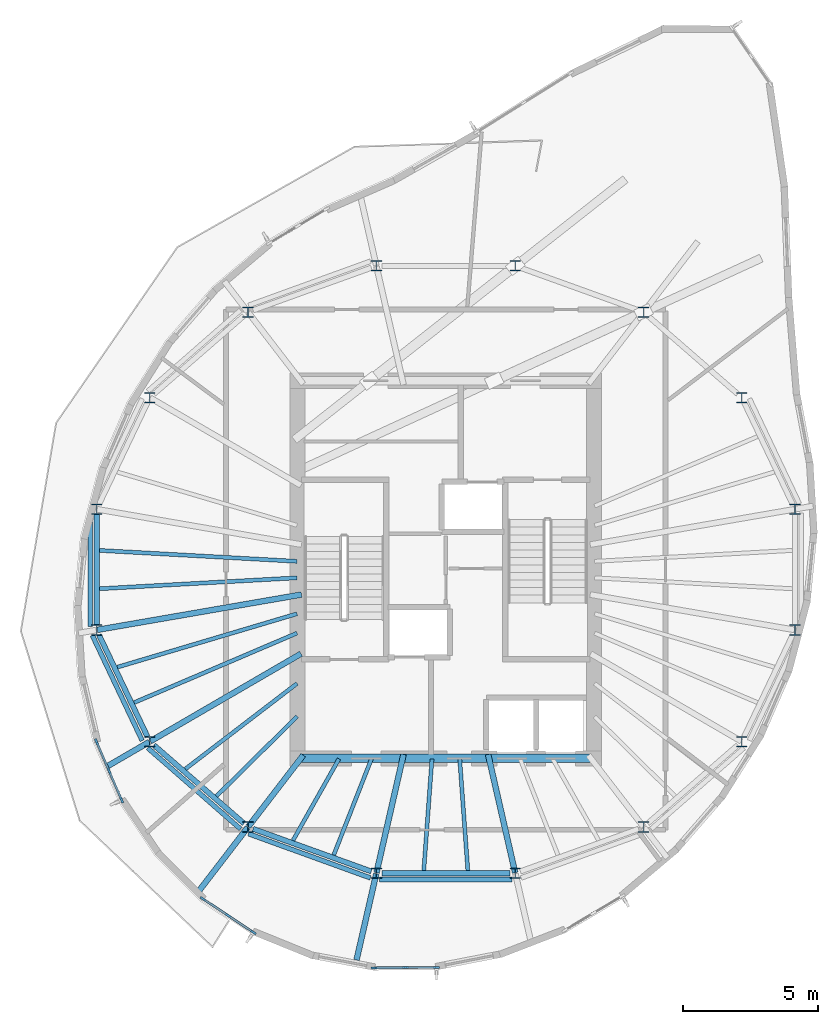
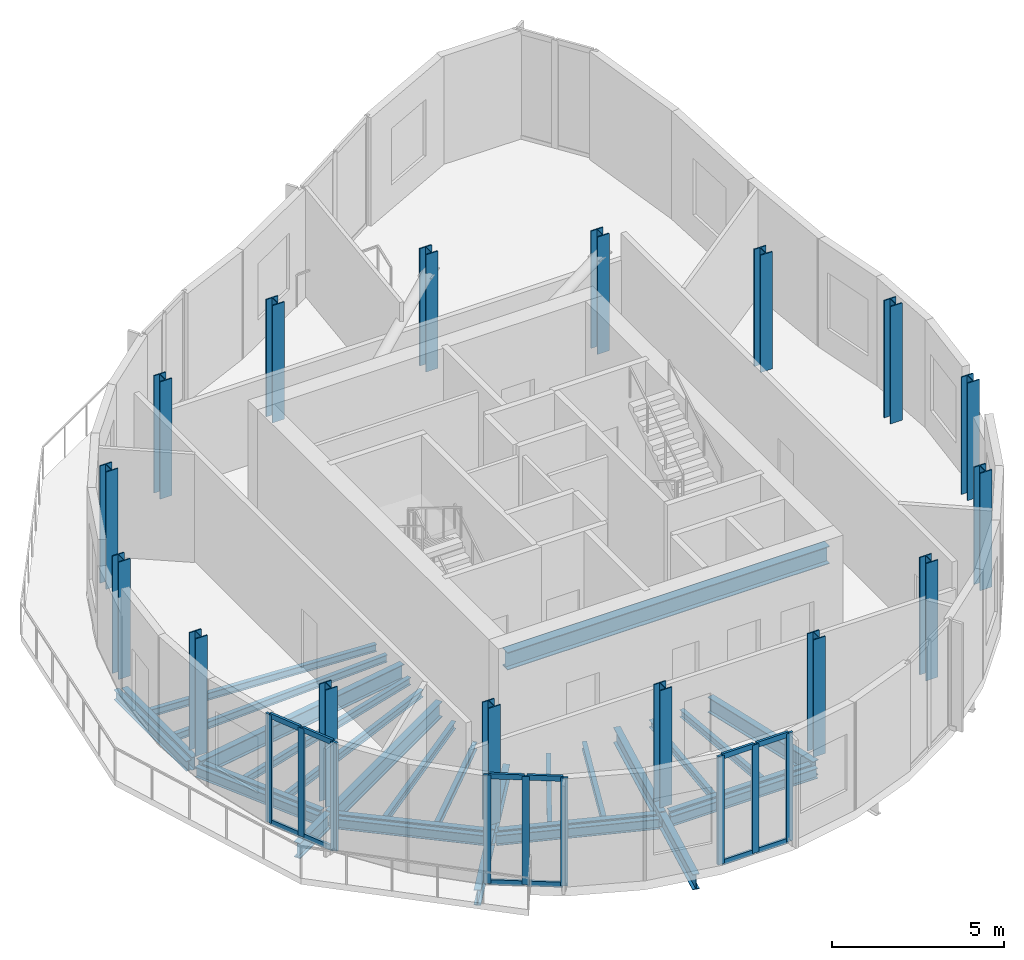
# One storey, part 1 of 8: 29 beams, 21 members, 16 columns, 3 elements without a shape of their own.
"""IFC4 building model written with IfcOpenShell, lengths in metres."""

from ifc_helpers import new_model, si_unit, direction, frame, origin, origin_2d, place, context, subcontext, project, spatial, rectangle, i_section, extrude, material, material_profile, profile_set, type_object, element, aggregate, save


model = new_model("IFC4")

# Units and contexts
model_context = context("Model", 3, precision=1e-05, world=origin(), true_north=direction((0.0, 1.0)))
body_context = subcontext(model_context, "Body", "Model", "MODEL_VIEW")
ifc_project = project(units=[si_unit("LENGTHUNIT", "METRE"), si_unit("AREAUNIT", "SQUARE_METRE"), si_unit("VOLUMEUNIT", "CUBIC_METRE"), si_unit("PLANEANGLEUNIT", "RADIAN"), si_unit("MASSUNIT", "GRAM", prefix="KILO")], contexts=[model_context])

# Site, building, storey
site_placement = place(None, origin())
site = spatial("IfcSite", under=ifc_project, at=site_placement, CompositionType="ELEMENT")
building_placement = place(site_placement, origin())
building = spatial("IfcBuilding", under=site, at=building_placement, Name="Veldorim Arch Residences", CompositionType="ELEMENT")
storey_placement = place(building_placement, frame((0.0, 0.0, 246.8798828125)))
storey = spatial("IfcBuildingStorey", under=building, at=storey_placement, Name="L74", CompositionType="ELEMENT", Elevation=246.8798828125)

# Columns
ifc_material_1 = material(Name="Steel S460", Category="steel")
ifc_material_profile_1 = material_profile(ifc_material_1, i_section(OverallWidth=0.39892578125, OverallDepth=0.3935546875, WebThickness=0.022705078125, FlangeThickness=0.03662109375, at=origin_2d()), Name="UC356x406x287")
ifc_profile_set_1 = profile_set([ifc_material_profile_1], Name="Steel S460")
column_type = type_object("IfcColumnType", Name="Structural Column UC356x406x287", PredefinedType="COLUMN", material=ifc_profile_set_1)
for number, where, z_axis, x_axis, name in (
    (1, (44.9462890625, 26.239501953125, 0.0), (0.0, 0.0, 1.0), (1.0, 0.0, 0.0), "L74 TC-Z4-01 perimeter column"),
    (2, (42.975341796875, 30.3779296875, 0.0), (0.0, 0.0, 1.0), (1.0, 0.0, 0.0), "L74 TC-Z4-02 perimeter column"),
    (3, (39.33349609375, 33.54541015625, 0.0), (0.0, 0.0, 1.0), (1.0, 0.0, 0.0), "L74 TC-Z4-03 perimeter column"),
    (4, (34.5751953125, 35.259521484375, 0.0), (0.0, 0.0, 1.0), (1.0, 0.0, 0.0), "L74 TC-Z4-04 perimeter column"),
    (5, (29.4248046875, 35.259521484375, 0.0), (0.0, 0.0, 1.0), (1.0, 0.0, 0.0), "L74 TC-Z4-05 perimeter column"),
    (6, (24.66650390625, 33.54541015625, 0.0), (0.0, 0.0, 1.0), (1.0, 0.0, 0.0), "L74 TC-Z4-06 perimeter column"),
    (7, (21.024658203125, 30.3779296875, 0.0), (0.0, 0.0, 1.0), (1.0, 0.0, 0.0), "L74 TC-Z4-07 perimeter column"),
    (8, (19.0537109375, 26.239501953125, 0.0), (0.0, 0.0, 1.0), (1.0, 0.0, 0.0), "L74 TC-Z4-08 perimeter column"),
    (9, (19.0537109375, 21.760498046875, 0.0), (0.0, 0.0, 1.0), (1.0, 0.0, 0.0), "L74 TC-Z4-09 perimeter column"),
    (10, (21.024658203125, 17.6220703125, 0.0), (0.0, 0.0, 1.0), (1.0, 0.0, 0.0), "L74 TC-Z4-10 perimeter column"),
    (11, (24.66650390625, 14.45458984375, 0.0), (0.0, 0.0, 1.0), (1.0, 0.0, 0.0), "L74 TC-Z4-11 perimeter column"),
    (12, (29.4248046875, 12.740478515625, 0.0), (0.0, 0.0, 1.0), (1.0, 0.0, 0.0), "L74 TC-Z4-12 perimeter column"),
    (13, (34.5751953125, 12.740478515625, 0.0), (0.0, 0.0, 1.0), (1.0, 0.0, 0.0), "L74 TC-Z4-13 perimeter column"),
    (14, (39.33349609375, 14.45458984375, 0.0), (0.0, 0.0, 1.0), (1.0, 0.0, 0.0), "L74 TC-Z4-14 perimeter column"),
    (15, (42.975341796875, 17.6220703125, 0.0), (0.0, 0.0, 1.0), (1.0, 0.0, 0.0), "L74 TC-Z4-15 perimeter column"),
    (16, (44.9462890625, 21.760498046875, 0.0), (0.0, 0.0, 1.0), (1.0, 0.0, 0.0), "L74 TC-Z4-16 perimeter column"),
):
    element("IfcColumn", number, at=place(storey_placement, frame(where, z_axis=z_axis, x_axis=x_axis)), inside=storey, type_object=column_type, Name=name, PredefinedType="COLUMN", context=body_context, shape_type="SweptSolid", body=[
        extrude(i_section(OverallWidth=0.39892578125, OverallDepth=0.3935546875, WebThickness=0.022705078125, FlangeThickness=0.03662109375, at=origin_2d()), origin(), (0.0, 0.0, 1.0), 4.16015625),
    ])

# Curtain wall, members
ifc_material_2 = material(Name="Aluminium", Category="aluminium")
curtain_wall_type = type_object("IfcCurtainWallType", Name="Sky Lounge & Conservatory Tall Curtain Wall", PredefinedType="NOTDEFINED", material=ifc_material_2)
curtain_wall_1_placement = place(storey_placement, origin())
curtain_wall_1 = element("IfcCurtainWall", 17, at=curtain_wall_1_placement, inside=storey, type_object=curtain_wall_type, Name="L74 unitised curtain wall bay 15", PredefinedType="NOTDEFINED")
ifc_material_3 = material(Name="Aluminium", Category="aluminium")
ifc_material_profile_2 = material_profile(ifc_material_3, rectangle(XDim=0.080078125, YDim=0.219970703125, at=origin_2d()), Name="ALU_MUL_80x220")
ifc_profile_set_2 = profile_set([ifc_material_profile_2], Name="Aluminium")
member_type_1 = type_object("IfcMemberType", Name="Sky Lounge & Conservatory Tall Curtain Wall Mullion 80x220", PredefinedType="MULLION", material=ifc_profile_set_2)
member_1_placement = place(storey_placement, frame((19.981689453125, 15.45068359375, 0.0), z_axis=(0.0, 0.0, 1.0), x_axis=(-0.91834461659, -0.395781714055, 0.0)))
member_1 = element("IfcMember", 18, at=member_1_placement, type_object=member_type_1, Name="CW-SKY mullion 1", PredefinedType="MULLION", context=body_context, shape_type="SweptSolid", body=[
    extrude(rectangle(XDim=0.080078125, YDim=0.219970703125, at=origin_2d()), origin(), (0.0, 0.0, 1.0), 3.840087890625),
])
member_2_placement = place(storey_placement, frame((19.514404296875, 16.535400390625, 0.0), z_axis=(0.0, 0.0, 1.0), x_axis=(-0.91834461659, -0.395781714055, 0.0)))
member_2 = element("IfcMember", 19, at=member_2_placement, type_object=member_type_1, Name="CW-SKY mullion 2", PredefinedType="MULLION", context=body_context, shape_type="SweptSolid", body=[
    extrude(rectangle(XDim=0.080078125, YDim=0.219970703125, at=origin_2d()), origin(), (0.0, 0.0, 1.0), 3.840087890625),
])
member_3_placement = place(storey_placement, frame((19.046875, 17.619873046875, 0.0), z_axis=(0.0, 0.0, 1.0), x_axis=(-0.91834461659, -0.395781714055, 0.0)))
member_3 = element("IfcMember", 20, at=member_3_placement, type_object=member_type_1, Name="CW-SKY mullion 3", PredefinedType="MULLION", context=body_context, shape_type="SweptSolid", body=[
    extrude(rectangle(XDim=0.080078125, YDim=0.219970703125, at=origin_2d()), origin(), (0.0, 0.0, 1.0), 3.840087890625),
])

curtain_wall_2_placement = place(storey_placement, origin())
curtain_wall_2 = element("IfcCurtainWall", 21, at=curtain_wall_2_placement, inside=storey, type_object=curtain_wall_type, Name="L74 unitised curtain wall bay 18", PredefinedType="NOTDEFINED")
member_4_placement = place(storey_placement, frame((24.862060546875, 10.55029296875, 0.0), z_axis=(0.0, 0.0, 1.0), x_axis=(-0.553190402544, -0.833054847254, 0.0)))
member_4 = element("IfcMember", 22, at=member_4_placement, type_object=member_type_1, Name="CW-SKY mullion 1", PredefinedType="MULLION", context=body_context, shape_type="SweptSolid", body=[
    extrude(rectangle(XDim=0.080078125, YDim=0.219970703125, at=origin_2d()), origin(), (0.0, 0.0, 1.0), 3.840087890625),
])
member_5_placement = place(storey_placement, frame((23.927001953125, 11.171142578125, 0.0), z_axis=(0.0, 0.0, 1.0), x_axis=(-0.553190402544, -0.833054847254, 0.0)))
member_5 = element("IfcMember", 23, at=member_5_placement, type_object=member_type_1, Name="CW-SKY mullion 2", PredefinedType="MULLION", context=body_context, shape_type="SweptSolid", body=[
    extrude(rectangle(XDim=0.080078125, YDim=0.219970703125, at=origin_2d()), origin(), (0.0, 0.0, 1.0), 3.840087890625),
])
member_6_placement = place(storey_placement, frame((22.991943359375, 11.7919921875, 0.0), z_axis=(0.0, 0.0, 1.0), x_axis=(-0.553190402544, -0.833054847254, 0.0)))
member_6 = element("IfcMember", 24, at=member_6_placement, type_object=member_type_1, Name="CW-SKY mullion 3", PredefinedType="MULLION", context=body_context, shape_type="SweptSolid", body=[
    extrude(rectangle(XDim=0.080078125, YDim=0.219970703125, at=origin_2d()), origin(), (0.0, 0.0, 1.0), 3.840087890625),
])

curtain_wall_3_placement = place(storey_placement, origin())
curtain_wall_3 = element("IfcCurtainWall", 25, at=curtain_wall_3_placement, inside=storey, type_object=curtain_wall_type, Name="L74 unitised curtain wall bay 21", PredefinedType="NOTDEFINED")
member_7_placement = place(storey_placement, frame((31.652587890625, 9.24755859375, 0.0), z_axis=(0.0, 0.0, 1.0), x_axis=(0.006407440287, -0.999979472144, 0.0)))
member_7 = element("IfcMember", 26, at=member_7_placement, type_object=member_type_1, Name="CW-SKY mullion 1", PredefinedType="MULLION", context=body_context, shape_type="SweptSolid", body=[
    extrude(rectangle(XDim=0.080078125, YDim=0.219970703125, at=origin_2d()), origin(), (0.0, 0.0, 1.0), 3.840087890625),
])
member_8_placement = place(storey_placement, frame((30.498779296875, 9.240234375, 0.0), z_axis=(0.0, 0.0, 1.0), x_axis=(0.006407440287, -0.999979472144, 0.0)))
member_8 = element("IfcMember", 27, at=member_8_placement, type_object=member_type_1, Name="CW-SKY mullion 2", PredefinedType="MULLION", context=body_context, shape_type="SweptSolid", body=[
    extrude(rectangle(XDim=0.080078125, YDim=0.219970703125, at=origin_2d()), origin(), (0.0, 0.0, 1.0), 3.840087890625),
])
member_9_placement = place(storey_placement, frame((29.3447265625, 9.23291015625, 0.0), z_axis=(0.0, 0.0, 1.0), x_axis=(0.006407440287, -0.999979472144, 0.0)))
member_9 = element("IfcMember", 28, at=member_9_placement, type_object=member_type_1, Name="CW-SKY mullion 3", PredefinedType="MULLION", context=body_context, shape_type="SweptSolid", body=[
    extrude(rectangle(XDim=0.080078125, YDim=0.219970703125, at=origin_2d()), origin(), (0.0, 0.0, 1.0), 3.840087890625),
])

# Member
ifc_material_4 = material(Name="Aluminium", Category="aluminium")
ifc_material_profile_3 = material_profile(ifc_material_4, rectangle(XDim=0.080078125, YDim=0.18505859375, at=origin_2d()), Name="ALU_TRN_80x185")
ifc_profile_set_3 = profile_set([ifc_material_profile_3], Name="Aluminium")
member_type_2 = type_object("IfcMemberType", Name="Sky Lounge & Conservatory Tall Curtain Wall Transom 80x185", PredefinedType="USERDEFINED", material=ifc_profile_set_3)
member_10_placement = place(storey_placement, frame((19.9658203125, 15.487548828125, 0.0400390625), z_axis=(-0.395658431532, 0.918397738215, 0.0), x_axis=(-0.918397738215, -0.395658431532, 0.0)))
member_10 = element("IfcMember", 29, at=member_10_placement, type_object=member_type_2, Name="CW-SKY transom 1.1", ObjectType="TRANSOM", PredefinedType="USERDEFINED", context=body_context, shape_type="SweptSolid", body=[
    extrude(rectangle(XDim=0.080078125, YDim=0.18505859375, at=origin_2d()), origin(), (0.0, 0.0, 1.0), 1.100830078125),
])

member_11_placement = place(storey_placement, frame((19.9658203125, 15.487548828125, 3.800048828125), z_axis=(-0.395658431532, 0.918397738215, 0.0), x_axis=(-0.918397738215, -0.395658431532, 0.0)))
member_11 = element("IfcMember", 30, at=member_11_placement, type_object=member_type_2, Name="CW-SKY transom 1.2", ObjectType="TRANSOM", PredefinedType="USERDEFINED", context=body_context, shape_type="SweptSolid", body=[
    extrude(rectangle(XDim=0.080078125, YDim=0.18505859375, at=origin_2d()), origin(), (0.0, 0.0, 1.0), 1.100830078125),
])

member_12_placement = place(storey_placement, frame((19.49853515625, 16.572021484375, 0.0400390625), z_axis=(-0.395764871355, 0.918351875155, 0.0), x_axis=(-0.918351875155, -0.395764871355, 0.0)))
member_12 = element("IfcMember", 31, at=member_12_placement, type_object=member_type_2, Name="CW-SKY transom 2.1", ObjectType="TRANSOM", PredefinedType="USERDEFINED", context=body_context, shape_type="SweptSolid", body=[
    extrude(rectangle(XDim=0.080078125, YDim=0.18505859375, at=origin_2d()), origin(), (0.0, 0.0, 1.0), 1.10107421875),
])

member_13_placement = place(storey_placement, frame((19.49853515625, 16.572021484375, 3.800048828125), z_axis=(-0.395764871355, 0.918351875155, 0.0), x_axis=(-0.918351875155, -0.395764871355, 0.0)))
member_13 = element("IfcMember", 32, at=member_13_placement, type_object=member_type_2, Name="CW-SKY transom 2.2", ObjectType="TRANSOM", PredefinedType="USERDEFINED", context=body_context, shape_type="SweptSolid", body=[
    extrude(rectangle(XDim=0.080078125, YDim=0.18505859375, at=origin_2d()), origin(), (0.0, 0.0, 1.0), 1.10107421875),
])

aggregate(curtain_wall_1, [member_1, member_2, member_3, member_10, member_11, member_12, member_13])

member_14_placement = place(storey_placement, frame((24.82861328125, 10.572509765625, 0.0400390625), z_axis=(-0.833057789857, 0.553185971224, 0.0), x_axis=(-0.553185971224, -0.833057789857, 0.0)))
member_14 = element("IfcMember", 33, at=member_14_placement, type_object=member_type_2, Name="CW-SKY transom 1.1", ObjectType="TRANSOM", PredefinedType="USERDEFINED", context=body_context, shape_type="SweptSolid", body=[
    extrude(rectangle(XDim=0.080078125, YDim=0.18505859375, at=origin_2d()), origin(), (0.0, 0.0, 1.0), 1.04248046875),
])

member_15_placement = place(storey_placement, frame((24.82861328125, 10.572509765625, 3.800048828125), z_axis=(-0.833057789857, 0.553185971224, 0.0), x_axis=(-0.553185971224, -0.833057789857, 0.0)))
member_15 = element("IfcMember", 34, at=member_15_placement, type_object=member_type_2, Name="CW-SKY transom 1.2", ObjectType="TRANSOM", PredefinedType="USERDEFINED", context=body_context, shape_type="SweptSolid", body=[
    extrude(rectangle(XDim=0.080078125, YDim=0.18505859375, at=origin_2d()), origin(), (0.0, 0.0, 1.0), 1.04248046875),
])

member_16_placement = place(storey_placement, frame((23.893798828125, 11.193359375, 0.0400390625), z_axis=(-0.833057789857, 0.553185971224, 0.0), x_axis=(-0.553185971224, -0.833057789857, 0.0)))
member_16 = element("IfcMember", 35, at=member_16_placement, type_object=member_type_2, Name="CW-SKY transom 2.1", ObjectType="TRANSOM", PredefinedType="USERDEFINED", context=body_context, shape_type="SweptSolid", body=[
    extrude(rectangle(XDim=0.080078125, YDim=0.18505859375, at=origin_2d()), origin(), (0.0, 0.0, 1.0), 1.04248046875),
])

member_17_placement = place(storey_placement, frame((23.893798828125, 11.193359375, 3.800048828125), z_axis=(-0.833057789857, 0.553185971224, 0.0), x_axis=(-0.553185971224, -0.833057789857, 0.0)))
member_17 = element("IfcMember", 36, at=member_17_placement, type_object=member_type_2, Name="CW-SKY transom 2.2", ObjectType="TRANSOM", PredefinedType="USERDEFINED", context=body_context, shape_type="SweptSolid", body=[
    extrude(rectangle(XDim=0.080078125, YDim=0.18505859375, at=origin_2d()), origin(), (0.0, 0.0, 1.0), 1.04248046875),
])

aggregate(curtain_wall_2, [member_4, member_5, member_6, member_14, member_15, member_16, member_17])

member_18_placement = place(storey_placement, frame((31.612548828125, 9.247314453125, 0.0400390625), z_axis=(-0.999979734262, -0.006366401219, 0.0), x_axis=(0.006366401219, -0.999979734262, 0.0)))
member_18 = element("IfcMember", 37, at=member_18_placement, type_object=member_type_2, Name="CW-SKY transom 1.1", ObjectType="TRANSOM", PredefinedType="USERDEFINED", context=body_context, shape_type="SweptSolid", body=[
    extrude(rectangle(XDim=0.080078125, YDim=0.18505859375, at=origin_2d()), origin(), (0.0, 0.0, 1.0), 1.07373046875),
])

member_19_placement = place(storey_placement, frame((31.612548828125, 9.247314453125, 3.800048828125), z_axis=(-0.999979734262, -0.006366401219, 0.0), x_axis=(0.006366401219, -0.999979734262, 0.0)))
member_19 = element("IfcMember", 38, at=member_19_placement, type_object=member_type_2, Name="CW-SKY transom 1.2", ObjectType="TRANSOM", PredefinedType="USERDEFINED", context=body_context, shape_type="SweptSolid", body=[
    extrude(rectangle(XDim=0.080078125, YDim=0.18505859375, at=origin_2d()), origin(), (0.0, 0.0, 1.0), 1.07373046875),
])

member_20_placement = place(storey_placement, frame((30.458740234375, 9.239990234375, 0.0400390625), z_axis=(-0.999979743475, -0.006364954039, 0.0), x_axis=(0.006364954039, -0.999979743475, 0.0)))
member_20 = element("IfcMember", 39, at=member_20_placement, type_object=member_type_2, Name="CW-SKY transom 2.1", ObjectType="TRANSOM", PredefinedType="USERDEFINED", context=body_context, shape_type="SweptSolid", body=[
    extrude(rectangle(XDim=0.080078125, YDim=0.18505859375, at=origin_2d()), origin(), (0.0, 0.0, 1.0), 1.073974609375),
])

member_21_placement = place(storey_placement, frame((30.458740234375, 9.239990234375, 3.800048828125), z_axis=(-0.999979743475, -0.006364954039, 0.0), x_axis=(0.006364954039, -0.999979743475, 0.0)))
member_21 = element("IfcMember", 40, at=member_21_placement, type_object=member_type_2, Name="CW-SKY transom 2.2", ObjectType="TRANSOM", PredefinedType="USERDEFINED", context=body_context, shape_type="SweptSolid", body=[
    extrude(rectangle(XDim=0.080078125, YDim=0.18505859375, at=origin_2d()), origin(), (0.0, 0.0, 1.0), 1.073974609375),
])

aggregate(curtain_wall_3, [member_7, member_8, member_9, member_18, member_19, member_20, member_21])

# Beams
ifc_material_5 = material(Name="Steel S355", Category="steel")
ifc_material_profile_4 = material_profile(ifc_material_5, i_section(OverallWidth=0.2119140625, OverallDepth=0.54443359375, WebThickness=0.0126953125, FlangeThickness=0.021240234375, at=origin_2d()), Name="UB533x210x122")
ifc_profile_set_4 = profile_set([ifc_material_profile_4], Name="Steel S355")
beam_type_1 = type_object("IfcBeamType", Name="Structural Steel Beam UB533x210x122", PredefinedType="BEAM", material=ifc_profile_set_4)
beam_1_placement = place(storey_placement, frame((26.647705078125, 23.07421875, -0.59228515625), z_axis=(-0.985364974081, -0.170457818401, 0.0), x_axis=(0.170457818401, -0.985364974081, 0.0)))
element("IfcBeam", 41, at=beam_1_placement, inside=storey, type_object=beam_type_1, Name="L74 radial floor girder 09", PredefinedType="BEAM", context=body_context, shape_type="SweptSolid", body=[
    extrude(i_section(OverallWidth=0.2119140625, OverallDepth=0.54443359375, WebThickness=0.0126953125, FlangeThickness=0.021240234375, at=origin_2d()), origin(), (0.0, 0.0, 1.0), 7.68701171875),
])
beam_2_placement = place(storey_placement, frame((26.629638671875, 20.87939453125, -0.59228515625), z_axis=(-0.864595736304, -0.502468121142, 0.0), x_axis=(0.502468121142, -0.864595736304, 0.0)))
element("IfcBeam", 42, at=beam_2_placement, inside=storey, type_object=beam_type_1, Name="L74 radial floor girder 10", PredefinedType="BEAM", context=body_context, shape_type="SweptSolid", body=[
    extrude(i_section(OverallWidth=0.2119140625, OverallDepth=0.54443359375, WebThickness=0.0126953125, FlangeThickness=0.021240234375, at=origin_2d()), origin(), (0.0, 0.0, 1.0), 6.462646484375),
])
beam_3_placement = place(storey_placement, frame((21.00732421875, 17.612060546875, -0.59228515625), z_axis=(-0.864633189969, -0.502403669179, 0.0), x_axis=(0.502403669179, -0.864633189969, 0.0)))
element("IfcBeam", 43, at=beam_3_placement, inside=storey, type_object=beam_type_1, Name="L74 radial edge cantilever girder 10", PredefinedType="BEAM", context=body_context, shape_type="SweptSolid", body=[
    extrude(i_section(OverallWidth=0.2119140625, OverallDepth=0.54443359375, WebThickness=0.0126953125, FlangeThickness=0.021240234375, at=origin_2d()), origin(), (0.0, 0.0, 1.0), 1.801025390625),
])
beam_4_placement = place(storey_placement, frame((26.71337890625, 17.118896484375, -0.59228515625), z_axis=(-0.609258442308, -0.792971721108, 0.0), x_axis=(0.792971721108, -0.609258442308, 0.0)))
element("IfcBeam", 44, at=beam_4_placement, inside=storey, type_object=beam_type_1, Name="L74 radial floor girder 11", PredefinedType="BEAM", context=body_context, shape_type="SweptSolid", body=[
    extrude(i_section(OverallWidth=0.2119140625, OverallDepth=0.54443359375, WebThickness=0.0126953125, FlangeThickness=0.021240234375, at=origin_2d()), origin(), (0.0, 0.0, 1.0), 3.339599609375),
])
beam_5_placement = place(storey_placement, frame((24.654296875, 14.438720703125, -0.59228515625), z_axis=(-0.609260991768, -0.792969762292, 0.0), x_axis=(0.792969762292, -0.609260991768, 0.0)))
element("IfcBeam", 45, at=beam_5_placement, inside=storey, type_object=beam_type_1, Name="L74 radial edge cantilever girder 11", PredefinedType="BEAM", context=body_context, shape_type="SweptSolid", body=[
    extrude(i_section(OverallWidth=0.2119140625, OverallDepth=0.54443359375, WebThickness=0.0126953125, FlangeThickness=0.021240234375, at=origin_2d()), origin(), (0.0, 0.0, 1.0), 3.06982421875),
])
beam_6_placement = place(storey_placement, frame((30.432373046875, 17.146240234375, -0.59228515625), z_axis=(-0.222952976993, -0.97482920045, 0.0), x_axis=(0.97482920045, -0.222952976993, 0.0)))
element("IfcBeam", 46, at=beam_6_placement, inside=storey, type_object=beam_type_1, Name="L74 radial floor girder 12", PredefinedType="BEAM", context=body_context, shape_type="SweptSolid", body=[
    extrude(i_section(OverallWidth=0.2119140625, OverallDepth=0.54443359375, WebThickness=0.0126953125, FlangeThickness=0.021240234375, at=origin_2d()), origin(), (0.0, 0.0, 1.0), 4.49951171875),
])
beam_7_placement = place(storey_placement, frame((29.42041015625, 12.72119140625, -0.59228515625), z_axis=(-0.222994562623, -0.974819688476, 0.0), x_axis=(0.974819688476, -0.222994562623, 0.0)))
element("IfcBeam", 47, at=beam_7_placement, inside=storey, type_object=beam_type_1, Name="L74 radial edge cantilever girder 12", PredefinedType="BEAM", context=body_context, shape_type="SweptSolid", body=[
    extrude(i_section(OverallWidth=0.2119140625, OverallDepth=0.54443359375, WebThickness=0.0126953125, FlangeThickness=0.021240234375, at=origin_2d()), origin(), (0.0, 0.0, 1.0), 3.280029296875),
])
beam_8_placement = place(storey_placement, frame((33.567626953125, 17.146240234375, -0.59228515625), z_axis=(0.222952976993, -0.97482920045, 0.0), x_axis=(0.97482920045, 0.222952976993, 0.0)))
element("IfcBeam", 48, at=beam_8_placement, inside=storey, type_object=beam_type_1, Name="L74 radial floor girder 13", PredefinedType="BEAM", context=body_context, shape_type="SweptSolid", body=[
    extrude(i_section(OverallWidth=0.2119140625, OverallDepth=0.54443359375, WebThickness=0.0126953125, FlangeThickness=0.021240234375, at=origin_2d()), origin(), (0.0, 0.0, 1.0), 4.49951171875),
])
ifc_material_6 = material(Name="Steel S355", Category="steel")
ifc_material_profile_5 = material_profile(ifc_material_6, i_section(OverallWidth=0.30712890625, OverallDepth=0.6201171875, WebThickness=0.01416015625, FlangeThickness=0.023681640625, at=origin_2d()), Name="UB610x305x179")
ifc_profile_set_5 = profile_set([ifc_material_profile_5], Name="Steel S355")
beam_type_2 = type_object("IfcBeamType", Name="Structural Steel Beam UB610x305x179", PredefinedType="BEAM", material=ifc_profile_set_5)
beam_9_placement = place(storey_placement, frame((26.60009765625, 17.0, 3.510009765625), z_axis=(1.0, 0.0, 0.0), x_axis=(0.0, 1.0, 0.0)))
element("IfcBeam", 49, at=beam_9_placement, inside=storey, type_object=beam_type_2, Name="Observation prow truss 1 core anchor top girder", PredefinedType="BEAM", context=body_context, shape_type="SweptSolid", body=[
    extrude(i_section(OverallWidth=0.30712890625, OverallDepth=0.6201171875, WebThickness=0.01416015625, FlangeThickness=0.023681640625, at=origin_2d()), origin(), (0.0, 0.0, 1.0), 10.7998046875),
])
ifc_material_7 = material(Name="Steel S355", Category="steel")
ifc_material_profile_6 = material_profile(ifc_material_7, i_section(OverallWidth=0.146484375, OverallDepth=0.256103515625, WebThickness=0.00634765625, FlangeThickness=0.010986328125, at=origin_2d()), Name="UB254x146x37")
ifc_profile_set_6 = profile_set([ifc_material_profile_6], Name="Steel S355")
beam_type_3 = type_object("IfcBeamType", Name="Structural Steel Joist UB254x146x37", PredefinedType="JOIST", material=ifc_profile_set_6)
for number, where, z_axis, x_axis, name in (
    (50, (26.47998046875, 24.3056640625, -0.447998046875), (-0.998472000884, 0.055259962464, 0.0), (-0.055259962464, -0.998472000884, 0.0), "L74 secondary radial floor joist 08-1"),
    (51, (26.47998046875, 23.6943359375, -0.447998046875), (-0.998472000884, -0.055259962464, 0.0), (0.055259962464, -0.998472000884, 0.0), "L74 secondary radial floor joist 08-2"),
):
    element("IfcBeam", number, at=place(storey_placement, frame(where, z_axis=z_axis, x_axis=x_axis)), inside=storey, type_object=beam_type_3, Name=name, PredefinedType="JOIST", context=body_context, shape_type="SweptSolid", body=[
        extrude(i_section(OverallWidth=0.146484375, OverallDepth=0.256103515625, WebThickness=0.00634765625, FlangeThickness=0.010986328125, at=origin_2d()), origin(), (0.0, 0.0, 1.0), 7.33837890625),
    ])
beam_10_placement = place(storey_placement, frame((26.480712890625, 22.360595703125, -0.447998046875), z_axis=(-0.958594432792, -0.284774846889, 0.0), x_axis=(0.284774846889, -0.958594432792, 0.0)))
element("IfcBeam", 52, at=beam_10_placement, inside=storey, type_object=beam_type_3, Name="L74 secondary radial floor joist 09-1", PredefinedType="JOIST", context=body_context, shape_type="SweptSolid", body=[
    extrude(i_section(OverallWidth=0.146484375, OverallDepth=0.256103515625, WebThickness=0.00634765625, FlangeThickness=0.010986328125, at=origin_2d()), origin(), (0.0, 0.0, 1.0), 6.949462890625),
])
beam_11_placement = place(storey_placement, frame((26.481689453125, 21.644287109375, -0.447998046875), z_axis=(-0.919725161652, -0.392562895629, 0.0), x_axis=(0.392562895629, -0.919725161652, 0.0)))
element("IfcBeam", 53, at=beam_11_placement, inside=storey, type_object=beam_type_3, Name="L74 secondary radial floor joist 09-2", PredefinedType="JOIST", context=body_context, shape_type="SweptSolid", body=[
    extrude(i_section(OverallWidth=0.146484375, OverallDepth=0.256103515625, WebThickness=0.00634765625, FlangeThickness=0.010986328125, at=origin_2d()), origin(), (0.0, 0.0, 1.0), 6.5625),
])
beam_12_placement = place(storey_placement, frame((26.484130859375, 19.777099609375, -0.447998046875), z_axis=(-0.794013672216, -0.607899899929, 0.0), x_axis=(0.607899899929, -0.794013672216, 0.0)))
element("IfcBeam", 54, at=beam_12_placement, inside=storey, type_object=beam_type_3, Name="L74 secondary radial floor joist 10-1", PredefinedType="JOIST", context=body_context, shape_type="SweptSolid", body=[
    extrude(i_section(OverallWidth=0.146484375, OverallDepth=0.256103515625, WebThickness=0.00634765625, FlangeThickness=0.010986328125, at=origin_2d()), origin(), (0.0, 0.0, 1.0), 5.217041015625),
])
beam_13_placement = place(storey_placement, frame((26.48583984375, 18.55224609375, -0.447998046875), z_axis=(-0.711396725432, -0.702790650937, 0.0), x_axis=(0.702790650937, -0.711396725432, 0.0)))
element("IfcBeam", 55, at=beam_13_placement, inside=storey, type_object=beam_type_3, Name="L74 secondary radial floor joist 10-2", PredefinedType="JOIST", context=body_context, shape_type="SweptSolid", body=[
    extrude(i_section(OverallWidth=0.146484375, OverallDepth=0.256103515625, WebThickness=0.00634765625, FlangeThickness=0.010986328125, at=origin_2d()), origin(), (0.0, 0.0, 1.0), 4.198486328125),
])
beam_14_placement = place(storey_placement, frame((28.039794921875, 16.982666015625, -0.447998046875), z_axis=(-0.491452469585, -0.870904397818, 0.0), x_axis=(0.870904397818, -0.491452469585, 0.0)))
element("IfcBeam", 56, at=beam_14_placement, inside=storey, type_object=beam_type_3, Name="L74 secondary radial floor joist 11-1", PredefinedType="JOIST", context=body_context, shape_type="SweptSolid", body=[
    extrude(i_section(OverallWidth=0.146484375, OverallDepth=0.256103515625, WebThickness=0.00634765625, FlangeThickness=0.010986328125, at=origin_2d()), origin(), (0.0, 0.0, 1.0), 3.472412109375),
])
beam_15_placement = place(storey_placement, frame((29.24365234375, 16.9814453125, -0.447998046875), z_axis=(-0.365581383042, -0.930779379001, 0.0), x_axis=(0.930779379001, -0.365581383042, 0.0)))
element("IfcBeam", 57, at=beam_15_placement, inside=storey, type_object=beam_type_3, Name="L74 secondary radial floor joist 11-2", PredefinedType="JOIST", context=body_context, shape_type="SweptSolid", body=[
    extrude(i_section(OverallWidth=0.146484375, OverallDepth=0.256103515625, WebThickness=0.00634765625, FlangeThickness=0.010986328125, at=origin_2d()), origin(), (0.0, 0.0, 1.0), 3.83056640625),
])
for number, where, z_axis, x_axis, name in (
    (58, (31.486083984375, 16.97998046875, -0.447998046875), (-0.072985625899, -0.997332992742, 0.0), (0.997332992742, -0.072985625899, 0.0), "L74 secondary radial floor joist 12-1"),
    (59, (32.513916015625, 16.97998046875, -0.447998046875), (0.072985625899, -0.997332992742, 0.0), (0.997332992742, 0.072985625899, 0.0), "L74 secondary radial floor joist 12-2"),
):
    element("IfcBeam", number, at=place(storey_placement, frame(where, z_axis=z_axis, x_axis=x_axis)), inside=storey, type_object=beam_type_3, Name=name, PredefinedType="JOIST", context=body_context, shape_type="SweptSolid", body=[
        extrude(i_section(OverallWidth=0.146484375, OverallDepth=0.256103515625, WebThickness=0.00634765625, FlangeThickness=0.010986328125, at=origin_2d()), origin(), (0.0, 0.0, 1.0), 4.151123046875),
    ])
ifc_material_8 = material(Name="Steel S355", Category="steel")
ifc_material_profile_7 = material_profile(ifc_material_8, i_section(OverallWidth=0.172119140625, OverallDepth=0.35791015625, WebThickness=0.008056640625, FlangeThickness=0.012939453125, at=origin_2d()), Name="UB356x171x57")
ifc_profile_set_7 = profile_set([ifc_material_profile_7], Name="Steel S355")
beam_type_4 = type_object("IfcBeamType", Name="Structural Steel Spandrel UB356x171x57", PredefinedType="SPANDREL", material=ifc_profile_set_7)
beam_16_placement = place(storey_placement, frame((18.817138671875, 26.10498046875, -0.518798828125), z_axis=(0.0, -1.0, 0.0), x_axis=(1.0, 0.0, 0.0)))
element("IfcBeam", 60, at=beam_16_placement, inside=storey, type_object=beam_type_4, Name="L74 perimeter chord spandrel beam 08", PredefinedType="SPANDREL", context=body_context, shape_type="SweptSolid", body=[
    extrude(i_section(OverallWidth=0.172119140625, OverallDepth=0.35791015625, WebThickness=0.008056640625, FlangeThickness=0.012939453125, at=origin_2d()), origin(), (0.0, 0.0, 1.0), 4.2099609375),
])
beam_17_placement = place(storey_placement, frame((18.892333984375, 21.560791015625, -0.518798828125), z_axis=(0.428453398876, -0.903563879862, 0.0), x_axis=(0.903563879862, 0.428453398876, 0.0)))
element("IfcBeam", 61, at=beam_17_placement, inside=storey, type_object=beam_type_4, Name="L74 perimeter chord spandrel beam 09", PredefinedType="SPANDREL", context=body_context, shape_type="SweptSolid", body=[
    extrude(i_section(OverallWidth=0.172119140625, OverallDepth=0.35791015625, WebThickness=0.008056640625, FlangeThickness=0.012939453125, at=origin_2d()), origin(), (0.0, 0.0, 1.0), 4.31689453125),
])
beam_18_placement = place(storey_placement, frame((20.94921875, 17.385986328125, -0.518798828125), z_axis=(0.752901089301, -0.658133686821, 0.0), x_axis=(0.658133686821, 0.752901089301, 0.0)))
element("IfcBeam", 62, at=beam_18_placement, inside=storey, type_object=beam_type_4, Name="L74 perimeter chord spandrel beam 10", PredefinedType="SPANDREL", context=body_context, shape_type="SweptSolid", body=[
    extrude(i_section(OverallWidth=0.172119140625, OverallDepth=0.35791015625, WebThickness=0.008056640625, FlangeThickness=0.012939453125, at=origin_2d()), origin(), (0.0, 0.0, 1.0), 4.567626953125),
])
beam_19_placement = place(storey_placement, frame((24.685302734375, 14.20458984375, -0.518798828125), z_axis=(0.940181197783, -0.340674794099, 0.0), x_axis=(0.340674794099, 0.940181197783, 0.0)))
element("IfcBeam", 63, at=beam_19_placement, inside=storey, type_object=beam_type_4, Name="L74 perimeter chord spandrel beam 11", PredefinedType="SPANDREL", context=body_context, shape_type="SweptSolid", body=[
    extrude(i_section(OverallWidth=0.172119140625, OverallDepth=0.35791015625, WebThickness=0.008056640625, FlangeThickness=0.012939453125, at=origin_2d()), origin(), (0.0, 0.0, 1.0), 4.80859375),
])
beam_20_placement = place(storey_placement, frame((29.546875, 12.506591796875, -0.518798828125), z_axis=(1.0, 0.0, 0.0), x_axis=(0.0, 1.0, 0.0)))
element("IfcBeam", 64, at=beam_20_placement, inside=storey, type_object=beam_type_4, Name="L74 perimeter chord spandrel beam 12", PredefinedType="SPANDREL", context=body_context, shape_type="SweptSolid", body=[
    extrude(i_section(OverallWidth=0.172119140625, OverallDepth=0.35791015625, WebThickness=0.008056640625, FlangeThickness=0.012939453125, at=origin_2d()), origin(), (0.0, 0.0, 1.0), 4.90625),
])
ifc_material_9 = material(Name="Steel S355", Category="steel")
ifc_material_profile_8 = material_profile(ifc_material_9, i_section(OverallWidth=0.19140625, OverallDepth=0.4599609375, WebThickness=0.010009765625, FlangeThickness=0.01611328125, at=origin_2d()), Name="UB457x191x82")
ifc_profile_set_8 = profile_set([ifc_material_profile_8], Name="Steel S355")
beam_type_5 = type_object("IfcBeamType", Name="Structural Steel Spandrel UB457x191x82", PredefinedType="SPANDREL", material=ifc_profile_set_8)
beam_21_placement = place(storey_placement, frame((19.0537109375, 26.0400390625, -0.5498046875), z_axis=(0.0, -1.0, 0.0), x_axis=(1.0, 0.0, 0.0)))
element("IfcBeam", 65, at=beam_21_placement, inside=storey, type_object=beam_type_5, Name="L74 perimeter ring tie beam 08", PredefinedType="SPANDREL", context=body_context, shape_type="SweptSolid", body=[
    extrude(i_section(OverallWidth=0.19140625, OverallDepth=0.4599609375, WebThickness=0.010009765625, FlangeThickness=0.01611328125, at=origin_2d()), origin(), (0.0, 0.0, 1.0), 4.080078125),
])
beam_22_placement = place(storey_placement, frame((19.139404296875, 21.580322265625, -0.5498046875), z_axis=(0.42997887291, -0.902838949564, 0.0), x_axis=(0.902838949564, 0.42997887291, 0.0)))
element("IfcBeam", 66, at=beam_22_placement, inside=storey, type_object=beam_type_5, Name="L74 perimeter ring tie beam 09", PredefinedType="SPANDREL", context=body_context, shape_type="SweptSolid", body=[
    extrude(i_section(OverallWidth=0.19140625, OverallDepth=0.4599609375, WebThickness=0.010009765625, FlangeThickness=0.01611328125, at=origin_2d()), origin(), (0.0, 0.0, 1.0), 4.1845703125),
])
beam_23_placement = place(storey_placement, frame((21.175048828125, 17.4912109375, -0.5498046875), z_axis=(0.754578219063, -0.656210112171, 0.0), x_axis=(0.656210112171, 0.754578219063, 0.0)))
element("IfcBeam", 67, at=beam_23_placement, inside=storey, type_object=beam_type_5, Name="L74 perimeter ring tie beam 10", PredefinedType="SPANDREL", context=body_context, shape_type="SweptSolid", body=[
    extrude(i_section(OverallWidth=0.19140625, OverallDepth=0.4599609375, WebThickness=0.010009765625, FlangeThickness=0.01611328125, at=origin_2d()), origin(), (0.0, 0.0, 1.0), 4.427734375),
])
beam_24_placement = place(storey_placement, frame((24.854248046875, 14.38720703125, -0.5498046875), z_axis=(0.940799194754, -0.338964415757, 0.0), x_axis=(0.338964415757, 0.940799194754, 0.0)))
element("IfcBeam", 68, at=beam_24_placement, inside=storey, type_object=beam_type_5, Name="L74 perimeter ring tie beam 11", PredefinedType="SPANDREL", context=body_context, shape_type="SweptSolid", body=[
    extrude(i_section(OverallWidth=0.19140625, OverallDepth=0.4599609375, WebThickness=0.010009765625, FlangeThickness=0.01611328125, at=origin_2d()), origin(), (0.0, 0.0, 1.0), 4.65869140625),
])
beam_25_placement = place(storey_placement, frame((29.624267578125, 12.740478515625, -0.5498046875), z_axis=(1.0, 0.0, 0.0), x_axis=(0.0, 1.0, 0.0)))
element("IfcBeam", 69, at=beam_25_placement, inside=storey, type_object=beam_type_5, Name="L74 perimeter ring tie beam 12", PredefinedType="SPANDREL", context=body_context, shape_type="SweptSolid", body=[
    extrude(i_section(OverallWidth=0.19140625, OverallDepth=0.4599609375, WebThickness=0.010009765625, FlangeThickness=0.01611328125, at=origin_2d()), origin(), (0.0, 0.0, 1.0), 4.75146484375),
])

save(model, "model.ifc")
